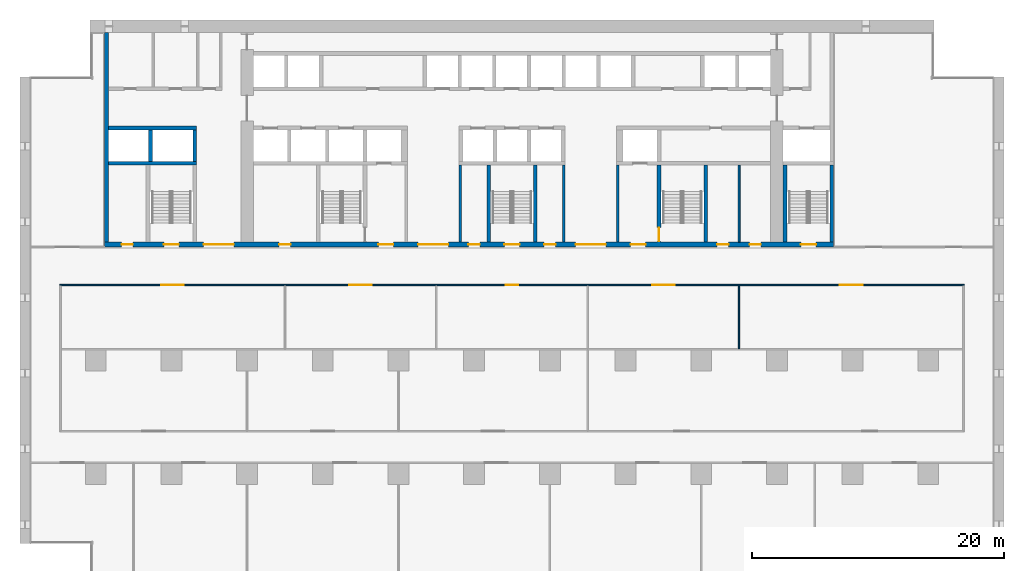
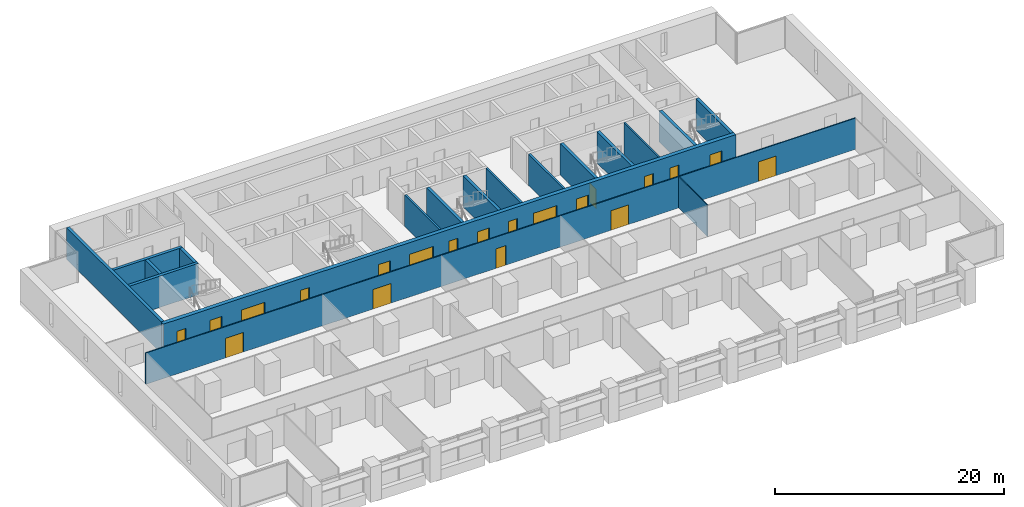
# One storey, part 10 of 18: 20 doors, 18 walls, 20 openings.
"""IFC4 building model written with IfcOpenShell, lengths in metres."""

import ifcopenshell
import ifcopenshell.guid

model = None  # the IFC model being written
_history = None  # IfcOwnerHistory: only IFC2X3 demands one
_inside = {}  # id of a spatial element -> (the spatial element, [elements in it])
_under = {}  # id of a project, library or spatial element -> (it, [spatial elements below it])
_declared = {}  # id of a project -> (the project, [libraries it declares])
_typed = {}  # id of a type object -> (the type object, [elements of that type])
_made_of = {}  # id of a material, layer set ... -> (it, [elements and type objects made of it])


def new_model(schema):
    """Start an empty IFC model of exactly this schema.

    Asked for "IFC4X3", IfcOpenShell would pick the latest addendum, in which some entities
    have other attributes; the version numbers below select the first issue.
    IFC2X3 requires an IfcOwnerHistory on every rooted entity: one is made here for all.
    """
    global model, _history
    if schema == "IFC4X3":
        model = ifcopenshell.file(schema_version=(4, 3, 0, 0))
    else:
        model = ifcopenshell.file(schema=schema)
    _inside.clear()
    _under.clear()
    _declared.clear()
    _typed.clear()
    _made_of.clear()
    _history = None
    if model.schema == "IFC2X3":
        org = make("IfcOrganization", Name="unknown")
        user = make(
            "IfcPersonAndOrganization",
            ThePerson=make("IfcPerson", FamilyName="unknown"),
            TheOrganization=org,
        )
        app = make(
            "IfcApplication",
            ApplicationDeveloper=org,
            Version="unknown",
            ApplicationFullName="unknown",
            ApplicationIdentifier="unknown",
        )
        _history = make(
            "IfcOwnerHistory",
            OwningUser=user,
            OwningApplication=app,
            ChangeAction="ADDED",
            CreationDate=0,
        )
    return model


def make(cls, **values):
    """One entity of the class cls with the attributes given. An attribute that is None is left unset."""
    return model.create_entity(
        cls, **{name: value for name, value in values.items() if value is not None}
    )


def rooted(cls, **values):
    """An entity with a GlobalId (a new one), such as an element, a storey or a relation."""
    return make(cls, GlobalId=ifcopenshell.guid.new(), OwnerHistory=_history, **values)


def si_unit(unit_type, name, prefix=None):
    """IfcSIUnit, for example si_unit("LENGTHUNIT", "METRE", prefix="MILLI")."""
    return make("IfcSIUnit", UnitType=unit_type, Prefix=prefix, Name=name)


def assignment(units):
    """IfcUnitAssignment: the units of a project."""
    return None if units is None else make("IfcUnitAssignment", Units=units)


def point(xyz):
    """IfcCartesianPoint."""
    return None if xyz is None else make("IfcCartesianPoint", Coordinates=xyz)


def direction(xyz):
    """IfcDirection."""
    return None if xyz is None else make("IfcDirection", DirectionRatios=xyz)


def frame(location, z_axis=None, x_axis=None):
    """IfcAxis2Placement3D, a coordinate frame: its origin and axes. An axis left out is left unset."""
    return make(
        "IfcAxis2Placement3D",
        Location=point(location),
        Axis=direction(z_axis),
        RefDirection=direction(x_axis),
    )


def frame_2d(location, x_axis=None):
    """IfcAxis2Placement2D, a coordinate frame in the plane: its origin and x axis."""
    return make(
        "IfcAxis2Placement2D", Location=point(location), RefDirection=direction(x_axis)
    )


def origin():
    """The frame at (0, 0, 0) with its axes left unset."""
    return frame((0.0, 0.0, 0.0))


def place(relative_to, where):
    """IfcLocalPlacement: puts the frame where relative to a parent placement (None: the world)."""
    return make(
        "IfcLocalPlacement", PlacementRelTo=relative_to, RelativePlacement=where
    )


def context(
    kind, dimensions, precision=None, world=None, true_north=None, identifier=None
):
    """IfcGeometricRepresentationContext, for example the 3D "Model" context."""
    return make(
        "IfcGeometricRepresentationContext",
        ContextIdentifier=identifier,
        ContextType=kind,
        CoordinateSpaceDimension=dimensions,
        Precision=precision,
        WorldCoordinateSystem=world,
        TrueNorth=true_north,
    )


def subcontext(parent, identifier, kind, view, scale=None):
    """IfcGeometricRepresentationSubContext, for example "Body" below "Model"."""
    return make(
        "IfcGeometricRepresentationSubContext",
        ContextIdentifier=identifier,
        ContextType=kind,
        ParentContext=parent,
        TargetScale=scale,
        TargetView=view,
    )


def project(units=None, contexts=None):
    """IfcProject with its units and contexts."""
    return rooted(
        "IfcProject",
        Name="project",
        RepresentationContexts=contexts,
        UnitsInContext=assignment(units),
    )


def spatial(cls, under=None, at=None, **own):
    """A site, building, storey or space (cls), placed at a placement, below another one or the project."""
    s = rooted(cls, ObjectPlacement=at, **own)
    if under is not None:
        _under.setdefault(under.id(), (under, []))[1].append(s)
    return s


def profile(cls, at=None, kind="AREA", **sizes):
    """A parametric profile (cls). Its sizes go by their IFC names, for example OverallWidth=200.0."""
    return make(cls, ProfileType=kind, Position=at, **sizes)


def rectangle(**sizes):
    """IfcRectangleProfileDef."""
    return profile("IfcRectangleProfileDef", **sizes)


def extrude(swept, where, along, depth):
    """IfcExtrudedAreaSolid: the profile swept, set in the frame where, extruded along a direction by depth."""
    return make(
        "IfcExtrudedAreaSolid",
        SweptArea=swept,
        Position=where,
        ExtrudedDirection=direction(along),
        Depth=depth,
    )


def shape(context_of_items, identifier, shape_type, items):
    """IfcShapeRepresentation: the items that make up one representation, for example the "Body"."""
    return make(
        "IfcShapeRepresentation",
        ContextOfItems=context_of_items,
        RepresentationIdentifier=identifier,
        RepresentationType=shape_type,
        Items=items,
    )


def material(Name=None, Category=None):
    """IfcMaterial."""
    return make("IfcMaterial", Name=Name, Category=Category)


def layer(
    of_material, thickness, ventilated=None, Name=None, Category=None, Priority=None
):
    """IfcMaterialLayer: one layer of a wall or slab, of a material (None: an air gap)."""
    return make(
        "IfcMaterialLayer",
        Material=of_material,
        LayerThickness=thickness,
        IsVentilated=ventilated,
        Name=Name,
        Category=Category,
        Priority=Priority,
    )


def layer_set(layers, Name=None):
    """IfcMaterialLayerSet."""
    return make("IfcMaterialLayerSet", MaterialLayers=layers, LayerSetName=Name)


def made_of(thing, what):
    """Note that an element or type object is made of a material, layer set ...; save() writes the relation."""
    if what is not None:
        _made_of.setdefault(what.id(), (what, []))[1].append(thing)
    return thing


def type_object(cls, material=None, **own):
    """A type object (cls), such as IfcWallType, which elements share."""
    return made_of(rooted(cls, **own), material)


def element(
    cls,
    number,
    at=None,
    inside=None,
    cuts=None,
    type_object=None,
    material=None,
    context=None,
    identifier="Body",
    shape_type=None,
    held_by="IfcProductDefinitionShape",
    body=None,
    shapes=None,
    **own,
):
    """One element of the class cls, such as IfcWall. Its Tag is "e" and its number.

    at: its placement. inside: the storey or other place that contains it. cuts: it is an
    opening in that element (IfcRelVoidsElement). A single representation is given by context,
    identifier, shape_type and body (its items); several are given by shapes. held_by: the class
    of the entity that holds the representations. save() writes the other relations.
    """
    e = rooted(cls, Tag="e%d" % number, ObjectPlacement=at, **own)
    if body is not None:
        shapes = [shape(context, identifier, shape_type, body)]
    if shapes is not None:
        e.Representation = make(held_by, Representations=shapes)
    if inside is not None:
        _inside.setdefault(inside.id(), (inside, []))[1].append(e)
    if cuts is not None:
        rooted(
            "IfcRelVoidsElement", RelatingBuildingElement=cuts, RelatedOpeningElement=e
        )
    if type_object is not None:
        _typed.setdefault(type_object.id(), (type_object, []))[1].append(e)
    return made_of(e, material)


def fill(opening, filler):
    """IfcRelFillsElement: the door or window that sits in an opening."""
    return rooted(
        "IfcRelFillsElement",
        RelatingOpeningElement=opening,
        RelatedBuildingElement=filler,
    )


def aggregate(whole, parts):
    """IfcRelAggregates: a whole, such as a stair, and the parts it consists of."""
    return rooted("IfcRelAggregates", RelatingObject=whole, RelatedObjects=parts)


def save(model, path):
    """Write the relations noted so far, then the file.

    IfcRelAggregates (storeys below a building ...), IfcRelContainedInSpatialStructure (elements
    in a storey), IfcRelDefinesByType, IfcRelAssociatesMaterial and IfcRelDeclares: one each for
    every whole, place, type object, material and project.
    """
    for whole, parts in _under.values():
        aggregate(whole, parts)
    for where, things in _inside.values():
        rooted(
            "IfcRelContainedInSpatialStructure",
            RelatedElements=things,
            RelatingStructure=where,
        )
    for kind, things in _typed.values():
        rooted("IfcRelDefinesByType", RelatedObjects=things, RelatingType=kind)
    for what, things in _made_of.values():
        rooted("IfcRelAssociatesMaterial", RelatedObjects=things, RelatingMaterial=what)
    for by, libraries in _declared.values():
        rooted("IfcRelDeclares", RelatingContext=by, RelatedDefinitions=libraries)
    model.write(path)


model = new_model("IFC4")

# Units and contexts
model_context = context("Model", 3, precision=1e-05, world=origin(), true_north=direction((0.0, 1.0)))
body_context = subcontext(model_context, "Body", "Model", "MODEL_VIEW")
ifc_project = project(units=[si_unit("LENGTHUNIT", "METRE"), si_unit("AREAUNIT", "SQUARE_METRE"), si_unit("VOLUMEUNIT", "CUBIC_METRE"), si_unit("PLANEANGLEUNIT", "RADIAN"), si_unit("MASSUNIT", "GRAM", prefix="KILO")], contexts=[model_context])

# Site, building, storey
site_placement = place(None, origin())
site = spatial("IfcSite", under=ifc_project, at=site_placement, CompositionType="ELEMENT")
building_placement = place(site_placement, origin())
building = spatial("IfcBuilding", under=site, at=building_placement, Name="Calvaro Tower", CompositionType="ELEMENT")
storey_placement = place(building_placement, frame((0.0, 0.0, 56.25)))
storey = spatial("IfcBuildingStorey", under=building, at=storey_placement, Name="L13", CompositionType="ELEMENT", Elevation=56.25)

# Walls
ifc_material_1 = material(Name="Blockwork partition", Category="masonry")
ifc_layer_1 = layer(ifc_material_1, 0.14990234375)
ifc_layer_set_1 = layer_set([ifc_layer_1], Name="Blockwork partition")
wall_type_1 = type_object("IfcWallType", Name="Core partition 150 EI 60", PredefinedType="PARTITIONING", material=ifc_layer_set_1)
wall_1_placement = place(storey_placement, frame((57.0, 28.39990234375, 0.0), z_axis=(0.0, 0.0, 1.0), x_axis=(0.0, 1.0, 0.0)))
element("IfcWall", 1, at=wall_1_placement, inside=storey, type_object=wall_type_1, Name="Core partition", PredefinedType="PARTITIONING", context=body_context, shape_type="SweptSolid", body=[
    extrude(rectangle(XDim=6.10009765625, YDim=0.14990234375, at=frame_2d((3.050048828125, 0.0))), origin(), (0.0, 0.0, 1.0), 3.35009765625),
])
ifc_material_2 = material(Name="Blockwork partition", Category="masonry")
ifc_layer_2 = layer(ifc_material_2, 0.199951171875)
ifc_layer_set_2 = layer_set([ifc_layer_2], Name="Blockwork partition")
wall_type_2 = type_object("IfcWallType", Name="Core partition 200 REI 120", PredefinedType="PARTITIONING", material=ifc_layer_set_2)
for number, where, z_axis, x_axis, name in (
    (2, (34.89990234375, 28.39990234375, 0.0), (0.0, 0.0, 1.0), (0.0, 1.0, 0.0), "Core partition"),
    (3, (43.10009765625, 28.39990234375, 0.0), (0.0, 0.0, 1.0), (0.0, 1.0, 0.0), "Core partition"),
    (4, (47.39990234375, 28.39990234375, 0.0), (0.0, 0.0, 1.0), (0.0, 1.0, 0.0), "Core partition"),
):
    element("IfcWall", number, at=place(storey_placement, frame(where, z_axis=z_axis, x_axis=x_axis)), inside=storey, type_object=wall_type_2, Name=name, PredefinedType="PARTITIONING", context=body_context, shape_type="SweptSolid", body=[
        extrude(rectangle(XDim=6.10009765625, YDim=0.199951171875, at=frame_2d((3.050048828125, 0.0))), origin(), (0.0, 0.0, 1.0), 3.35009765625),
    ])
ifc_material_3 = material(Name="Concrete C80/95", Category="concrete")
ifc_layer_3 = layer(ifc_material_3, 0.300048828125)
ifc_layer_set_3 = layer_set([ifc_layer_3], Name="Concrete C80/95")
wall_type_3 = type_object("IfcWallType", Name="Core wall C80/95 300", PredefinedType="SHEAR", material=ifc_layer_set_3)
wall_2_placement = place(storey_placement, frame((6.85009765625, 28.39990234375, 0.0), z_axis=(0.0, 0.0, 1.0), x_axis=(0.0, 1.0, 0.0)))
element("IfcWall", 5, at=wall_2_placement, inside=storey, type_object=wall_type_3, Name="Core wall, boundary", PredefinedType="SHEAR", context=body_context, shape_type="SweptSolid", body=[
    extrude(rectangle(XDim=16.60009765625, YDim=0.300048828125, at=frame_2d((8.300048828125, 0.0))), origin(), (0.0, 0.0, 1.0), 3.35009765625),
])
for number, where, z_axis, x_axis, name in (
    (6, (37.14990234375, 28.39990234375, 0.0), (0.0, 0.0, 1.0), (0.0, 1.0, 0.0), "Core wall, stair enclosure"),
    (7, (40.85009765625, 28.39990234375, 0.0), (0.0, 0.0, 1.0), (0.0, 1.0, 0.0), "Core wall, stair enclosure"),
):
    element("IfcWall", number, at=place(storey_placement, frame(where, z_axis=z_axis, x_axis=x_axis)), inside=storey, type_object=wall_type_3, Name=name, PredefinedType="SHEAR", context=body_context, shape_type="SweptSolid", body=[
        extrude(rectangle(XDim=6.10009765625, YDim=0.300048828125, at=frame_2d((3.050048828125, 0.0))), origin(), (0.0, 0.0, 1.0), 3.35009765625),
    ])

# Wall, opening, door
wall_3_placement = place(storey_placement, frame((50.64990234375, 34.5, 0.0), z_axis=(0.0, 0.0, 1.0), x_axis=(0.0, -1.0, 0.0)))
wall_3 = element("IfcWall", 8, at=wall_3_placement, inside=storey, type_object=wall_type_3, Name="Core wall, stair enclosure", PredefinedType="SHEAR", context=body_context, shape_type="SweptSolid", body=[
    extrude(rectangle(XDim=6.10009765625, YDim=0.300048828125, at=frame_2d((3.050048828125, 0.0))), origin(), (0.0, 0.0, 1.0), 3.35009765625),
])
opening_1_placement = place(wall_3_placement, frame((4.949951171875, 0.0, 0.0)))
opening_1 = element("IfcOpeningElement", 9, at=opening_1_placement, cuts=wall_3, Name="Opening FD11D", PredefinedType="OPENING", context=body_context, shape_type="SweptSolid", body=[
    extrude(rectangle(XDim=1.10009765625, YDim=2.10009765625, at=frame_2d((0.550048828125, 1.050048828125))), frame((0.0, 0.159912109375, 0.0), z_axis=(0.0, -1.0, 0.0), x_axis=(1.0, 0.0, 0.0)), (0.0, 0.0, 1.0), 0.320068359375),
])
ifc_material_4 = material(Name="Steel door set", Category="steel")
door_type_1 = type_object("IfcDoorType", Name="Fire door 1100 FD30S", OperationType="SINGLE_SWING_LEFT", PredefinedType="DOOR", material=ifc_material_4)
door_1_placement = place(opening_1_placement, origin())
door_1 = element("IfcDoor", 10, at=door_1_placement, inside=storey, type_object=door_type_1, Name="Fire door", OperationType="SINGLE_SWING_RIGHT", OverallHeight=2.10009765625, OverallWidth=1.10009765625, PredefinedType="DOOR", context=body_context, shape_type="SweptSolid", body=[
    extrude(rectangle(XDim=1.10009765625, YDim=2.10009765625, at=frame_2d((0.550048828125, 1.050048828125))), frame((0.0, 0.02490234375, 0.0), z_axis=(0.0, -1.0, 0.0), x_axis=(1.0, 0.0, 0.0)), (0.0, 0.0, 1.0), 0.050048828125),
])
fill(opening_1, door_1)

# Walls
for number, where, z_axis, x_axis, name in (
    (11, (54.35009765625, 28.39990234375, 0.0), (0.0, 0.0, 1.0), (0.0, 1.0, 0.0), "Core wall, stair enclosure"),
    (12, (60.64990234375, 28.39990234375, 0.0), (0.0, 0.0, 1.0), (0.0, 1.0, 0.0), "Core wall, stair enclosure"),
    (13, (64.35009765625, 28.39990234375, 0.0), (0.0, 0.0, 1.0), (0.0, 1.0, 0.0), "Core wall, stair enclosure"),
):
    element("IfcWall", number, at=place(storey_placement, frame(where, z_axis=z_axis, x_axis=x_axis)), inside=storey, type_object=wall_type_3, Name=name, PredefinedType="SHEAR", context=body_context, shape_type="SweptSolid", body=[
        extrude(rectangle(XDim=6.10009765625, YDim=0.300048828125, at=frame_2d((3.050048828125, 0.0))), origin(), (0.0, 0.0, 1.0), 3.35009765625),
    ])
for number, where, z_axis, x_axis, name in (
    (14, (7.0, 34.64990234375, 0.0), (0.0, 0.0, 1.0), (1.0, 0.0, 0.0), "Core wall, lift shaft"),
    (15, (7.0, 37.449951171875, 0.0), (0.0, 0.0, 1.0), (1.0, 0.0, 0.0), "Core wall, lift shaft"),
):
    element("IfcWall", number, at=place(storey_placement, frame(where, z_axis=z_axis, x_axis=x_axis)), inside=storey, type_object=wall_type_3, Name=name, PredefinedType="SHEAR", context=body_context, shape_type="SweptSolid", body=[
        extrude(rectangle(XDim=7.0, YDim=0.300048828125, at=frame_2d((3.5, 0.0))), origin(), (0.0, 0.0, 1.0), 3.35009765625),
    ])
for number, where, z_axis, x_axis, name in (
    (16, (13.85009765625, 34.800048828125, 0.0), (0.0, 0.0, 1.0), (0.0, 1.0, 0.0), "Core wall, lift shaft"),
    (17, (10.35009765625, 34.800048828125, 0.0), (0.0, 0.0, 1.0), (0.0, 1.0, 0.0), "Core wall, lift shaft"),
):
    element("IfcWall", number, at=place(storey_placement, frame(where, z_axis=z_axis, x_axis=x_axis)), inside=storey, type_object=wall_type_3, Name=name, PredefinedType="SHEAR", context=body_context, shape_type="SweptSolid", body=[
        extrude(rectangle(XDim=2.5, YDim=0.300048828125, at=frame_2d((1.25, 0.0))), origin(), (0.0, 0.0, 1.0), 3.35009765625),
    ])

# Wall, openings, doors
ifc_material_5 = material(Name="Concrete C80/95", Category="concrete")
ifc_layer_4 = layer(ifc_material_5, 0.39990234375)
ifc_layer_set_4 = layer_set([ifc_layer_4], Name="Concrete C80/95")
wall_type_4 = type_object("IfcWallType", Name="Core wall C80/95 400", PredefinedType="SHEAR", material=ifc_layer_set_4)
wall_4_placement = place(storey_placement, frame((6.699951171875, 28.199951171875, 0.0), z_axis=(0.0, 0.0, 1.0), x_axis=(1.0, 0.0, 0.0)))
wall_4 = element("IfcWall", 18, at=wall_4_placement, inside=storey, type_object=wall_type_4, Name="Core wall, front", PredefinedType="SHEAR", context=body_context, shape_type="SweptSolid", body=[
    extrude(rectangle(XDim=57.800048828125, YDim=0.39990234375, at=frame_2d((28.89990234375, 0.0))), origin(), (0.0, 0.0, 1.0), 3.35009765625),
])
opening_2_placement = place(wall_4_placement, frame((13.85009765625, 0.0, 0.0)))
opening_2 = element("IfcOpeningElement", 19, at=opening_2_placement, cuts=wall_4, Name="Opening RD9E", PredefinedType="OPENING", context=body_context, shape_type="SweptSolid", body=[
    extrude(rectangle(XDim=0.89990234375, YDim=2.10009765625, at=frame_2d((0.449951171875, 1.050048828125))), frame((0.0, 0.2099609375, 0.0), z_axis=(0.0, -1.0, 0.0), x_axis=(1.0, 0.0, 0.0)), (0.0, 0.0, 1.0), 0.419921875),
])
opening_3_placement = place(wall_4_placement, frame((48.5625, 0.0, 0.0)))
opening_3 = element("IfcOpeningElement", 20, at=opening_3_placement, cuts=wall_4, Name="Opening RD9C", PredefinedType="OPENING", context=body_context, shape_type="SweptSolid", body=[
    extrude(rectangle(XDim=0.89990234375, YDim=2.10009765625, at=frame_2d((0.449951171875, 1.050048828125))), frame((0.0, 0.2099609375, 0.0), z_axis=(0.0, -1.0, 0.0), x_axis=(1.0, 0.0, 0.0)), (0.0, 0.0, 1.0), 0.419921875),
])
opening_4_placement = place(wall_4_placement, frame((51.137451171875, 0.0, 0.0)))
opening_4 = element("IfcOpeningElement", 21, at=opening_4_placement, cuts=wall_4, Name="Opening RD9C", PredefinedType="OPENING", context=body_context, shape_type="SweptSolid", body=[
    extrude(rectangle(XDim=0.89990234375, YDim=2.10009765625, at=frame_2d((0.449951171875, 1.050048828125))), frame((0.0, 0.2099609375, 0.0), z_axis=(0.0, -1.0, 0.0), x_axis=(1.0, 0.0, 0.0)), (0.0, 0.0, 1.0), 0.419921875),
])
opening_5_placement = place(wall_4_placement, frame((1.35009765625, 0.0, 0.0)))
opening_5 = element("IfcOpeningElement", 22, at=opening_5_placement, cuts=wall_4, Name="Opening RD9C", PredefinedType="OPENING", context=body_context, shape_type="SweptSolid", body=[
    extrude(rectangle(XDim=0.89990234375, YDim=2.10009765625, at=frame_2d((0.449951171875, 1.050048828125))), frame((0.0, 0.2099609375, 0.0), z_axis=(0.0, -1.0, 0.0), x_axis=(1.0, 0.0, 0.0)), (0.0, 0.0, 1.0), 0.419921875),
])
opening_6_placement = place(wall_4_placement, frame((4.699951171875, 0.0, 0.0)))
opening_6 = element("IfcOpeningElement", 23, at=opening_6_placement, cuts=wall_4, Name="Opening SD12D", PredefinedType="OPENING", context=body_context, shape_type="SweptSolid", body=[
    extrude(rectangle(XDim=1.199951171875, YDim=2.10009765625, at=frame_2d((0.60009765625, 1.050048828125))), frame((0.0, 0.2099609375, 0.0), z_axis=(0.0, -1.0, 0.0), x_axis=(1.0, 0.0, 0.0)), (0.0, 0.0, 1.0), 0.419921875),
])
opening_7_placement = place(wall_4_placement, frame((31.699951171875, 0.0, 0.0)))
opening_7 = element("IfcOpeningElement", 24, at=opening_7_placement, cuts=wall_4, Name="Opening SD12D", PredefinedType="OPENING", context=body_context, shape_type="SweptSolid", body=[
    extrude(rectangle(XDim=1.199951171875, YDim=2.10009765625, at=frame_2d((0.60009765625, 1.050048828125))), frame((0.0, 0.2099609375, 0.0), z_axis=(0.0, -1.0, 0.0), x_axis=(1.0, 0.0, 0.0)), (0.0, 0.0, 1.0), 0.419921875),
])
opening_8_placement = place(wall_4_placement, frame((55.199951171875, 0.0, 0.0)))
opening_8 = element("IfcOpeningElement", 25, at=opening_8_placement, cuts=wall_4, Name="Opening SD12D", PredefinedType="OPENING", context=body_context, shape_type="SweptSolid", body=[
    extrude(rectangle(XDim=1.199951171875, YDim=2.10009765625, at=frame_2d((0.60009765625, 1.050048828125))), frame((0.0, 0.2099609375, 0.0), z_axis=(0.0, -1.0, 0.0), x_axis=(1.0, 0.0, 0.0)), (0.0, 0.0, 1.0), 0.419921875),
])
opening_9_placement = place(wall_4_placement, frame((21.699951171875, 0.0, 0.0)))
opening_9 = element("IfcOpeningElement", 26, at=opening_9_placement, cuts=wall_4, Name="Opening FD12F", PredefinedType="OPENING", context=body_context, shape_type="SweptSolid", body=[
    extrude(rectangle(XDim=1.199951171875, YDim=2.10009765625, at=frame_2d((0.60009765625, 1.050048828125))), frame((0.0, 0.2099609375, 0.0), z_axis=(0.0, -1.0, 0.0), x_axis=(1.0, 0.0, 0.0)), (0.0, 0.0, 1.0), 0.419921875),
])
opening_10_placement = place(wall_4_placement, frame((41.699951171875, 0.0, 0.0)))
opening_10 = element("IfcOpeningElement", 27, at=opening_10_placement, cuts=wall_4, Name="Opening FD12F", PredefinedType="OPENING", context=body_context, shape_type="SweptSolid", body=[
    extrude(rectangle(XDim=1.199951171875, YDim=2.10009765625, at=frame_2d((0.60009765625, 1.050048828125))), frame((0.0, 0.2099609375, 0.0), z_axis=(0.0, -1.0, 0.0), x_axis=(1.0, 0.0, 0.0)), (0.0, 0.0, 1.0), 0.419921875),
])
opening_11_placement = place(wall_4_placement, frame((24.85009765625, 0.0, 0.0)))
opening_11 = element("IfcOpeningElement", 28, at=opening_11_placement, cuts=wall_4, Name="Opening DD24D", PredefinedType="OPENING", context=body_context, shape_type="SweptSolid", body=[
    extrude(rectangle(XDim=2.39990234375, YDim=2.10009765625, at=frame_2d((1.199951171875, 1.050048828125))), frame((0.0, 0.2099609375, 0.0), z_axis=(0.0, -1.0, 0.0), x_axis=(1.0, 0.0, 0.0)), (0.0, 0.0, 1.0), 0.419921875),
])
opening_12_placement = place(wall_4_placement, frame((37.35009765625, 0.0, 0.0)))
opening_12 = element("IfcOpeningElement", 29, at=opening_12_placement, cuts=wall_4, Name="Opening DD24D", PredefinedType="OPENING", context=body_context, shape_type="SweptSolid", body=[
    extrude(rectangle(XDim=2.39990234375, YDim=2.10009765625, at=frame_2d((1.199951171875, 1.050048828125))), frame((0.0, 0.2099609375, 0.0), z_axis=(0.0, -1.0, 0.0), x_axis=(1.0, 0.0, 0.0)), (0.0, 0.0, 1.0), 0.419921875),
])
opening_13_placement = place(wall_4_placement, frame((7.85009765625, 0.0, 0.0)))
opening_13 = element("IfcOpeningElement", 30, at=opening_13_placement, cuts=wall_4, Name="Opening DD24D", PredefinedType="OPENING", context=body_context, shape_type="SweptSolid", body=[
    extrude(rectangle(XDim=2.39990234375, YDim=2.10009765625, at=frame_2d((1.199951171875, 1.050048828125))), frame((0.0, 0.2099609375, 0.0), z_axis=(0.0, -1.0, 0.0), x_axis=(1.0, 0.0, 0.0)), (0.0, 0.0, 1.0), 0.419921875),
])
opening_14_placement = place(wall_4_placement, frame((28.85009765625, 0.0, 0.0)))
opening_14 = element("IfcOpeningElement", 31, at=opening_14_placement, cuts=wall_4, Name="Opening RD9E", PredefinedType="OPENING", context=body_context, shape_type="SweptSolid", body=[
    extrude(rectangle(XDim=0.89990234375, YDim=2.10009765625, at=frame_2d((0.449951171875, 1.050048828125))), frame((0.0, 0.2099609375, 0.0), z_axis=(0.0, -1.0, 0.0), x_axis=(1.0, 0.0, 0.0)), (0.0, 0.0, 1.0), 0.419921875),
])
opening_15_placement = place(wall_4_placement, frame((34.85009765625, 0.0, 0.0)))
opening_15 = element("IfcOpeningElement", 32, at=opening_15_placement, cuts=wall_4, Name="Opening RD9E", PredefinedType="OPENING", context=body_context, shape_type="SweptSolid", body=[
    extrude(rectangle(XDim=0.89990234375, YDim=2.10009765625, at=frame_2d((0.449951171875, 1.050048828125))), frame((0.0, 0.2099609375, 0.0), z_axis=(0.0, -1.0, 0.0), x_axis=(1.0, 0.0, 0.0)), (0.0, 0.0, 1.0), 0.419921875),
])
ifc_material_6 = material(Name="Steel door set", Category="steel")
door_type_2 = type_object("IfcDoorType", Name="Fire door 1200 FD60S", OperationType="SINGLE_SWING_LEFT", PredefinedType="DOOR", material=ifc_material_6)
door_2_placement = place(opening_9_placement, origin())
door_2 = element("IfcDoor", 33, at=door_2_placement, inside=storey, type_object=door_type_2, Name="Fire door", OperationType="SINGLE_SWING_LEFT", OverallHeight=2.10009765625, OverallWidth=1.199951171875, PredefinedType="DOOR", context=body_context, shape_type="SweptSolid", body=[
    extrude(rectangle(XDim=1.199951171875, YDim=2.10009765625, at=frame_2d((0.60009765625, 1.050048828125))), frame((0.0, 0.02490234375, 0.0), z_axis=(0.0, -1.0, 0.0), x_axis=(1.0, 0.0, 0.0)), (0.0, 0.0, 1.0), 0.050048828125),
])
fill(opening_9, door_2)
door_3_placement = place(opening_10_placement, origin())
door_3 = element("IfcDoor", 34, at=door_3_placement, inside=storey, type_object=door_type_2, Name="Fire door", OperationType="SINGLE_SWING_LEFT", OverallHeight=2.10009765625, OverallWidth=1.199951171875, PredefinedType="DOOR", context=body_context, shape_type="SweptSolid", body=[
    extrude(rectangle(XDim=1.199951171875, YDim=2.10009765625, at=frame_2d((0.60009765625, 1.050048828125))), frame((0.0, 0.02490234375, 0.0), z_axis=(0.0, -1.0, 0.0), x_axis=(1.0, 0.0, 0.0)), (0.0, 0.0, 1.0), 0.050048828125),
])
fill(opening_10, door_3)
ifc_material_7 = material(Name="Steel door set", Category="steel")
door_type_3 = type_object("IfcDoorType", Name="Lobby double door 2400 FD30S", OperationType="DOUBLE_DOOR_SINGLE_SWING", PredefinedType="DOOR", material=ifc_material_7)
door_4_placement = place(opening_11_placement, origin())
door_4 = element("IfcDoor", 35, at=door_4_placement, inside=storey, type_object=door_type_3, Name="Lobby double door", OperationType="DOUBLE_DOOR_SINGLE_SWING", OverallHeight=2.10009765625, OverallWidth=2.39990234375, PredefinedType="DOOR", context=body_context, shape_type="SweptSolid", body=[
    extrude(rectangle(XDim=2.39990234375, YDim=2.10009765625, at=frame_2d((1.199951171875, 1.050048828125))), frame((0.0, 0.02490234375, 0.0), z_axis=(0.0, -1.0, 0.0), x_axis=(1.0, 0.0, 0.0)), (0.0, 0.0, 1.0), 0.050048828125),
])
fill(opening_11, door_4)
door_5_placement = place(opening_12_placement, origin())
door_5 = element("IfcDoor", 36, at=door_5_placement, inside=storey, type_object=door_type_3, Name="Lobby double door", OperationType="DOUBLE_DOOR_SINGLE_SWING", OverallHeight=2.10009765625, OverallWidth=2.39990234375, PredefinedType="DOOR", context=body_context, shape_type="SweptSolid", body=[
    extrude(rectangle(XDim=2.39990234375, YDim=2.10009765625, at=frame_2d((1.199951171875, 1.050048828125))), frame((0.0, 0.02490234375, 0.0), z_axis=(0.0, -1.0, 0.0), x_axis=(1.0, 0.0, 0.0)), (0.0, 0.0, 1.0), 0.050048828125),
])
fill(opening_12, door_5)
door_6_placement = place(opening_13_placement, origin())
door_6 = element("IfcDoor", 37, at=door_6_placement, inside=storey, type_object=door_type_3, Name="Lobby double door", OperationType="DOUBLE_DOOR_SINGLE_SWING", OverallHeight=2.10009765625, OverallWidth=2.39990234375, PredefinedType="DOOR", context=body_context, shape_type="SweptSolid", body=[
    extrude(rectangle(XDim=2.39990234375, YDim=2.10009765625, at=frame_2d((1.199951171875, 1.050048828125))), frame((0.0, 0.02490234375, 0.0), z_axis=(0.0, -1.0, 0.0), x_axis=(1.0, 0.0, 0.0)), (0.0, 0.0, 1.0), 0.050048828125),
])
fill(opening_13, door_6)
ifc_material_8 = material(Name="Steel door set", Category="steel")
door_type_4 = type_object("IfcDoorType", Name="Room door 900 FD30", OperationType="SINGLE_SWING_LEFT", PredefinedType="DOOR", material=ifc_material_8)
door_7_placement = place(opening_3_placement, origin())
door_7 = element("IfcDoor", 38, at=door_7_placement, inside=storey, type_object=door_type_4, Name="Room door", OperationType="SINGLE_SWING_LEFT", OverallHeight=2.10009765625, OverallWidth=0.89990234375, PredefinedType="DOOR", context=body_context, shape_type="SweptSolid", body=[
    extrude(rectangle(XDim=0.89990234375, YDim=2.10009765625, at=frame_2d((0.449951171875, 1.050048828125))), frame((0.0, 0.02490234375, 0.0), z_axis=(0.0, -1.0, 0.0), x_axis=(1.0, 0.0, 0.0)), (0.0, 0.0, 1.0), 0.050048828125),
])
fill(opening_3, door_7)
door_8_placement = place(opening_4_placement, origin())
door_8 = element("IfcDoor", 39, at=door_8_placement, inside=storey, type_object=door_type_4, Name="Room door", OperationType="SINGLE_SWING_LEFT", OverallHeight=2.10009765625, OverallWidth=0.89990234375, PredefinedType="DOOR", context=body_context, shape_type="SweptSolid", body=[
    extrude(rectangle(XDim=0.89990234375, YDim=2.10009765625, at=frame_2d((0.449951171875, 1.050048828125))), frame((0.0, 0.02490234375, 0.0), z_axis=(0.0, -1.0, 0.0), x_axis=(1.0, 0.0, 0.0)), (0.0, 0.0, 1.0), 0.050048828125),
])
fill(opening_4, door_8)
door_9_placement = place(opening_5_placement, origin())
door_9 = element("IfcDoor", 40, at=door_9_placement, inside=storey, type_object=door_type_4, Name="Room door", OperationType="SINGLE_SWING_LEFT", OverallHeight=2.10009765625, OverallWidth=0.89990234375, PredefinedType="DOOR", context=body_context, shape_type="SweptSolid", body=[
    extrude(rectangle(XDim=0.89990234375, YDim=2.10009765625, at=frame_2d((0.449951171875, 1.050048828125))), frame((0.0, 0.02490234375, 0.0), z_axis=(0.0, -1.0, 0.0), x_axis=(1.0, 0.0, 0.0)), (0.0, 0.0, 1.0), 0.050048828125),
])
fill(opening_5, door_9)
ifc_material_9 = material(Name="Steel door set", Category="steel")
door_type_5 = type_object("IfcDoorType", Name="Room door 900 FD60", OperationType="SINGLE_SWING_LEFT", PredefinedType="DOOR", material=ifc_material_9)
door_10_placement = place(opening_2_placement, origin())
door_10 = element("IfcDoor", 41, at=door_10_placement, inside=storey, type_object=door_type_5, Name="Room door", OperationType="SINGLE_SWING_LEFT", OverallHeight=2.10009765625, OverallWidth=0.89990234375, PredefinedType="DOOR", context=body_context, shape_type="SweptSolid", body=[
    extrude(rectangle(XDim=0.89990234375, YDim=2.10009765625, at=frame_2d((0.449951171875, 1.050048828125))), frame((0.0, 0.02490234375, 0.0), z_axis=(0.0, -1.0, 0.0), x_axis=(1.0, 0.0, 0.0)), (0.0, 0.0, 1.0), 0.050048828125),
])
fill(opening_2, door_10)
door_11_placement = place(opening_14_placement, origin())
door_11 = element("IfcDoor", 42, at=door_11_placement, inside=storey, type_object=door_type_5, Name="Room door", OperationType="SINGLE_SWING_LEFT", OverallHeight=2.10009765625, OverallWidth=0.89990234375, PredefinedType="DOOR", context=body_context, shape_type="SweptSolid", body=[
    extrude(rectangle(XDim=0.89990234375, YDim=2.10009765625, at=frame_2d((0.449951171875, 1.050048828125))), frame((0.0, 0.02490234375, 0.0), z_axis=(0.0, -1.0, 0.0), x_axis=(1.0, 0.0, 0.0)), (0.0, 0.0, 1.0), 0.050048828125),
])
fill(opening_14, door_11)
door_12_placement = place(opening_15_placement, origin())
door_12 = element("IfcDoor", 43, at=door_12_placement, inside=storey, type_object=door_type_5, Name="Room door", OperationType="SINGLE_SWING_LEFT", OverallHeight=2.10009765625, OverallWidth=0.89990234375, PredefinedType="DOOR", context=body_context, shape_type="SweptSolid", body=[
    extrude(rectangle(XDim=0.89990234375, YDim=2.10009765625, at=frame_2d((0.449951171875, 1.050048828125))), frame((0.0, 0.02490234375, 0.0), z_axis=(0.0, -1.0, 0.0), x_axis=(1.0, 0.0, 0.0)), (0.0, 0.0, 1.0), 0.050048828125),
])
fill(opening_15, door_12)
ifc_material_10 = material(Name="Steel door set", Category="steel")
door_type_6 = type_object("IfcDoorType", Name="Stair door 1200 FD30S", OperationType="SINGLE_SWING_LEFT", PredefinedType="DOOR", material=ifc_material_10)
door_13_placement = place(opening_6_placement, origin())
door_13 = element("IfcDoor", 44, at=door_13_placement, inside=storey, type_object=door_type_6, Name="Stair door", OperationType="SINGLE_SWING_LEFT", OverallHeight=2.10009765625, OverallWidth=1.199951171875, PredefinedType="DOOR", context=body_context, shape_type="SweptSolid", body=[
    extrude(rectangle(XDim=1.199951171875, YDim=2.10009765625, at=frame_2d((0.60009765625, 1.050048828125))), frame((0.0, 0.02490234375, 0.0), z_axis=(0.0, -1.0, 0.0), x_axis=(1.0, 0.0, 0.0)), (0.0, 0.0, 1.0), 0.050048828125),
])
fill(opening_6, door_13)
door_14_placement = place(opening_7_placement, origin())
door_14 = element("IfcDoor", 45, at=door_14_placement, inside=storey, type_object=door_type_6, Name="Stair door", OperationType="SINGLE_SWING_LEFT", OverallHeight=2.10009765625, OverallWidth=1.199951171875, PredefinedType="DOOR", context=body_context, shape_type="SweptSolid", body=[
    extrude(rectangle(XDim=1.199951171875, YDim=2.10009765625, at=frame_2d((0.60009765625, 1.050048828125))), frame((0.0, 0.02490234375, 0.0), z_axis=(0.0, -1.0, 0.0), x_axis=(1.0, 0.0, 0.0)), (0.0, 0.0, 1.0), 0.050048828125),
])
fill(opening_7, door_14)
door_15_placement = place(opening_8_placement, origin())
door_15 = element("IfcDoor", 46, at=door_15_placement, inside=storey, type_object=door_type_6, Name="Stair door", OperationType="SINGLE_SWING_LEFT", OverallHeight=2.10009765625, OverallWidth=1.199951171875, PredefinedType="DOOR", context=body_context, shape_type="SweptSolid", body=[
    extrude(rectangle(XDim=1.199951171875, YDim=2.10009765625, at=frame_2d((0.60009765625, 1.050048828125))), frame((0.0, 0.02490234375, 0.0), z_axis=(0.0, -1.0, 0.0), x_axis=(1.0, 0.0, 0.0)), (0.0, 0.0, 1.0), 0.050048828125),
])
fill(opening_8, door_15)

# Wall
ifc_material_11 = material(Name="Plasterboard on steel studs", Category="steel")
ifc_layer_5 = layer(ifc_material_11, 0.10009765625)
ifc_layer_set_5 = layer_set([ifc_layer_5], Name="Plasterboard on steel studs")
wall_type_5 = type_object("IfcWallType", Name="Partition 100", PredefinedType="PARTITIONING", material=ifc_layer_set_5)
wall_5_placement = place(storey_placement, frame((57.0, 19.949951171875, 0.0), z_axis=(0.0, 0.0, 1.0), x_axis=(0.0, 1.0, 0.0)))
element("IfcWall", 47, at=wall_5_placement, inside=storey, type_object=wall_type_5, Name="Partition T11.W019", PredefinedType="PARTITIONING", context=body_context, shape_type="SweptSolid", body=[
    extrude(rectangle(XDim=5.0, YDim=0.10009765625, at=frame_2d((2.5, 0.0))), origin(), (0.0, 0.0, 1.0), 3.35009765625),
])

# Wall, openings, doors
ifc_material_12 = material(Name="Plasterboard on steel studs", Category="steel")
ifc_layer_6 = layer(ifc_material_12, 0.10009765625)
ifc_layer_set_6 = layer_set([ifc_layer_6], Name="Plasterboard on steel studs")
wall_type_6 = type_object("IfcWallType", Name="Partition 100 REI 120", PredefinedType="PARTITIONING", material=ifc_layer_set_6)
wall_6_placement = place(storey_placement, frame((3.14990234375, 25.0, 0.0), z_axis=(0.0, 0.0, 1.0), x_axis=(1.0, 0.0, 0.0)))
wall_6 = element("IfcWall", 48, at=wall_6_placement, inside=storey, type_object=wall_type_6, Name="Partition T11.W004", PredefinedType="PARTITIONING", context=body_context, shape_type="SweptSolid", body=[
    extrude(rectangle(XDim=71.7001953125, YDim=0.10009765625, at=frame_2d((35.85009765625, 0.0))), origin(), (0.0, 0.0, 1.0), 3.35009765625),
])
opening_16_placement = place(wall_6_placement, frame((8.050048828125, 0.0, 0.0)))
opening_16 = element("IfcOpeningElement", 49, at=opening_16_placement, cuts=wall_6, Name="Opening T11.013", PredefinedType="OPENING", context=body_context, shape_type="SweptSolid", body=[
    extrude(rectangle(XDim=1.800048828125, YDim=2.10009765625, at=frame_2d((0.89990234375, 1.050048828125))), frame((0.0, 0.06005859375, 0.0), z_axis=(0.0, -1.0, 0.0), x_axis=(1.0, 0.0, 0.0)), (0.0, 0.0, 1.0), 0.1201171875),
])
opening_17_placement = place(wall_6_placement, frame((61.85009765625, 0.0, 0.0)))
opening_17 = element("IfcOpeningElement", 50, at=opening_17_placement, cuts=wall_6, Name="Opening T11.014", PredefinedType="OPENING", context=body_context, shape_type="SweptSolid", body=[
    extrude(rectangle(XDim=1.800048828125, YDim=2.10009765625, at=frame_2d((0.89990234375, 1.050048828125))), frame((0.0, 0.06005859375, 0.0), z_axis=(0.0, -1.0, 0.0), x_axis=(1.0, 0.0, 0.0)), (0.0, 0.0, 1.0), 0.1201171875),
])
opening_18_placement = place(wall_6_placement, frame((22.949951171875, 0.0, 0.0)))
opening_18 = element("IfcOpeningElement", 51, at=opening_18_placement, cuts=wall_6, Name="Opening T11.015", PredefinedType="OPENING", context=body_context, shape_type="SweptSolid", body=[
    extrude(rectangle(XDim=1.800048828125, YDim=2.10009765625, at=frame_2d((0.89990234375, 1.050048828125))), frame((0.0, 0.06005859375, 0.0), z_axis=(0.0, -1.0, 0.0), x_axis=(1.0, 0.0, 0.0)), (0.0, 0.0, 1.0), 0.1201171875),
])
opening_19_placement = place(wall_6_placement, frame((35.35009765625, 0.0, 0.0)))
opening_19 = element("IfcOpeningElement", 52, at=opening_19_placement, cuts=wall_6, Name="Opening T11.016", PredefinedType="OPENING", context=body_context, shape_type="SweptSolid", body=[
    extrude(rectangle(XDim=1.0, YDim=2.10009765625, at=frame_2d((0.5, 1.050048828125))), frame((0.0, 0.06005859375, 0.0), z_axis=(0.0, -1.0, 0.0), x_axis=(1.0, 0.0, 0.0)), (0.0, 0.0, 1.0), 0.1201171875),
])
opening_20_placement = place(wall_6_placement, frame((46.949951171875, 0.0, 0.0)))
opening_20 = element("IfcOpeningElement", 53, at=opening_20_placement, cuts=wall_6, Name="Opening T11.017", PredefinedType="OPENING", context=body_context, shape_type="SweptSolid", body=[
    extrude(rectangle(XDim=1.800048828125, YDim=2.10009765625, at=frame_2d((0.89990234375, 1.050048828125))), frame((0.0, 0.06005859375, 0.0), z_axis=(0.0, -1.0, 0.0), x_axis=(1.0, 0.0, 0.0)), (0.0, 0.0, 1.0), 0.1201171875),
])
ifc_material_13 = material(Name="Timber", Category="wood")
door_type_7 = type_object("IfcDoorType", Name="Internal double door 1800 x 2100", OperationType="DOUBLE_DOOR_SINGLE_SWING", PredefinedType="DOOR", material=ifc_material_13)
door_16_placement = place(opening_16_placement, origin())
door_16 = element("IfcDoor", 54, at=door_16_placement, inside=storey, type_object=door_type_7, Name="Door T11.013", OperationType="DOUBLE_DOOR_SINGLE_SWING", OverallHeight=2.10009765625, OverallWidth=1.800048828125, PredefinedType="DOOR", context=body_context, shape_type="SweptSolid", body=[
    extrude(rectangle(XDim=1.800048828125, YDim=2.10009765625, at=frame_2d((0.89990234375, 1.050048828125))), frame((0.0, 0.02490234375, 0.0), z_axis=(0.0, -1.0, 0.0), x_axis=(1.0, 0.0, 0.0)), (0.0, 0.0, 1.0), 0.050048828125),
])
fill(opening_16, door_16)
door_17_placement = place(opening_17_placement, origin())
door_17 = element("IfcDoor", 55, at=door_17_placement, inside=storey, type_object=door_type_7, Name="Door T11.014", OperationType="DOUBLE_DOOR_SINGLE_SWING", OverallHeight=2.10009765625, OverallWidth=1.800048828125, PredefinedType="DOOR", context=body_context, shape_type="SweptSolid", body=[
    extrude(rectangle(XDim=1.800048828125, YDim=2.10009765625, at=frame_2d((0.89990234375, 1.050048828125))), frame((0.0, 0.02490234375, 0.0), z_axis=(0.0, -1.0, 0.0), x_axis=(1.0, 0.0, 0.0)), (0.0, 0.0, 1.0), 0.050048828125),
])
fill(opening_17, door_17)
door_18_placement = place(opening_18_placement, origin())
door_18 = element("IfcDoor", 56, at=door_18_placement, inside=storey, type_object=door_type_7, Name="Door T11.015", OperationType="DOUBLE_DOOR_SINGLE_SWING", OverallHeight=2.10009765625, OverallWidth=1.800048828125, PredefinedType="DOOR", context=body_context, shape_type="SweptSolid", body=[
    extrude(rectangle(XDim=1.800048828125, YDim=2.10009765625, at=frame_2d((0.89990234375, 1.050048828125))), frame((0.0, 0.02490234375, 0.0), z_axis=(0.0, -1.0, 0.0), x_axis=(1.0, 0.0, 0.0)), (0.0, 0.0, 1.0), 0.050048828125),
])
fill(opening_18, door_18)
door_19_placement = place(opening_20_placement, origin())
door_19 = element("IfcDoor", 57, at=door_19_placement, inside=storey, type_object=door_type_7, Name="Door T11.017", OperationType="DOUBLE_DOOR_SINGLE_SWING", OverallHeight=2.10009765625, OverallWidth=1.800048828125, PredefinedType="DOOR", context=body_context, shape_type="SweptSolid", body=[
    extrude(rectangle(XDim=1.800048828125, YDim=2.10009765625, at=frame_2d((0.89990234375, 1.050048828125))), frame((0.0, 0.02490234375, 0.0), z_axis=(0.0, -1.0, 0.0), x_axis=(1.0, 0.0, 0.0)), (0.0, 0.0, 1.0), 0.050048828125),
])
fill(opening_20, door_19)
ifc_material_14 = material(Name="Timber", Category="wood")
door_type_8 = type_object("IfcDoorType", Name="Internal single door 1000 x 2100 FD60", OperationType="SINGLE_SWING_LEFT", PredefinedType="DOOR", material=ifc_material_14)
door_20_placement = place(opening_19_placement, origin())
door_20 = element("IfcDoor", 58, at=door_20_placement, inside=storey, type_object=door_type_8, Name="Door T11.016", OperationType="SINGLE_SWING_RIGHT", OverallHeight=2.10009765625, OverallWidth=1.0, PredefinedType="DOOR", context=body_context, shape_type="SweptSolid", body=[
    extrude(rectangle(XDim=1.0, YDim=2.10009765625, at=frame_2d((0.5, 1.050048828125))), frame((0.0, 0.02490234375, 0.0), z_axis=(0.0, -1.0, 0.0), x_axis=(1.0, 0.0, 0.0)), (0.0, 0.0, 1.0), 0.050048828125),
])
fill(opening_19, door_20)

save(model, "model.ifc")
